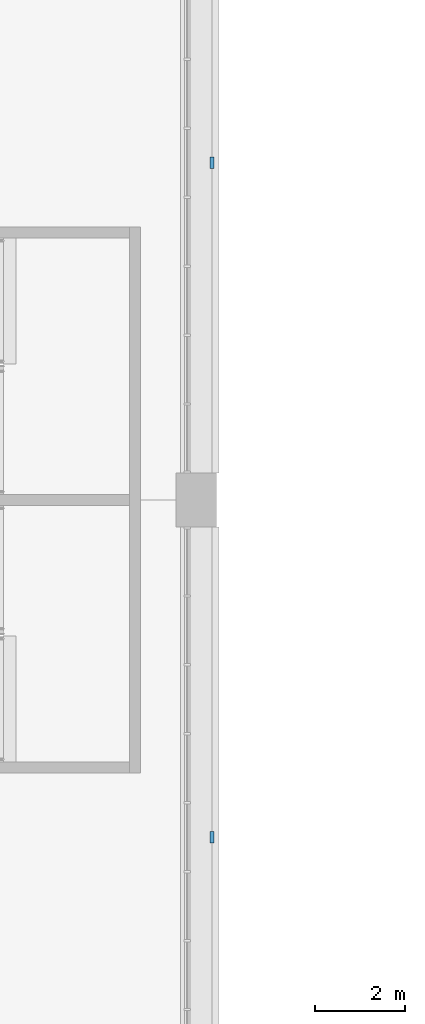
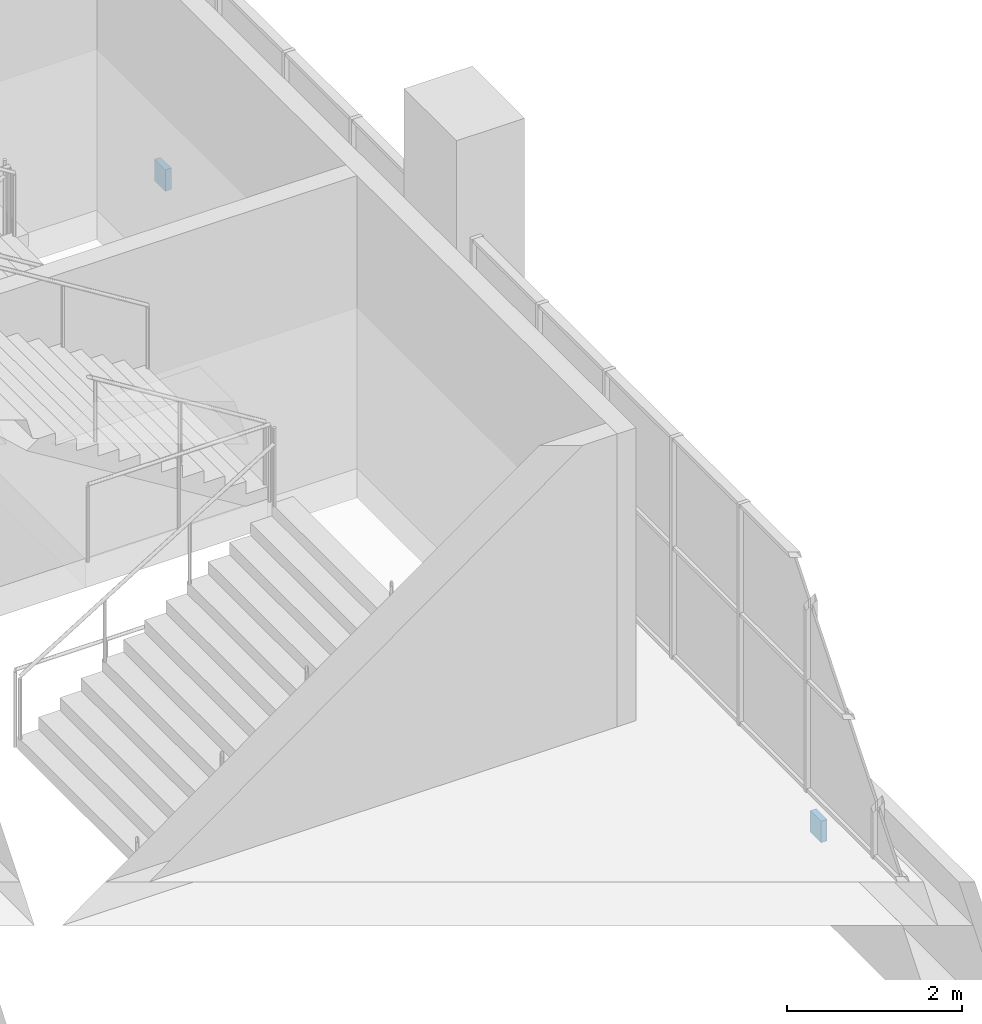
# One storey, part 103 of 199: 2 discrete accessories.
"""IFC4 building model written with IfcOpenShell, lengths in metres."""

from ifc_helpers import new_model, si_unit, direction, frame, origin, origin_2d, place, context, subcontext, project, spatial, rectangle, extrude, material, layer, layer_set, type_object, element, save


model = new_model("IFC4")

# Units and contexts
model_context = context("Model", 3, precision=1e-05, world=origin(), true_north=direction((0.0, 1.0)))
body_context = subcontext(model_context, "Body", "Model", "MODEL_VIEW")
ifc_project = project(units=[si_unit("LENGTHUNIT", "METRE"), si_unit("AREAUNIT", "SQUARE_METRE"), si_unit("VOLUMEUNIT", "CUBIC_METRE"), si_unit("PLANEANGLEUNIT", "RADIAN"), si_unit("MASSUNIT", "GRAM", prefix="KILO")], contexts=[model_context])

# Site, building, storey
site_placement = place(None, origin())
site = spatial("IfcSite", under=ifc_project, at=site_placement, CompositionType="ELEMENT")
building_placement = place(site_placement, origin())
building = spatial("IfcBuilding", under=site, at=building_placement, Name="Ogive Plaza Stadium", CompositionType="ELEMENT")
storey_placement = place(building_placement, frame((0.0, 0.0, 4.5)))
storey = spatial("IfcBuildingStorey", under=building, at=storey_placement, Name="L01", CompositionType="ELEMENT", Elevation=4.5)

# Discrete accessories
ifc_material = material(Name="Steel ASTM A572 Grade 50", Category="steel")
ifc_layer = layer(ifc_material, 0.080078125)
ifc_layer_set = layer_set([ifc_layer], Name="Steel ASTM A572 Grade 50")
discrete_accessory_type = type_object("IfcDiscreteAccessoryType", Name="Spandrel cladding bracket 250x300", PredefinedType="BRACKET", material=ifc_layer_set)
for number, where, z_axis, x_axis, name in (
    (1, (84.35009765625, 45.0, -1.31005859375), (0.0, 0.0, 1.0), (0.0, -1.0, 0.0), "SPANDREL BRACKET B01 L01"),
    (2, (84.35009765625, 30.0, -1.31005859375), (0.0, 0.0, 1.0), (0.0, -1.0, 0.0), "SPANDREL BRACKET B02 L01"),
):
    element("IfcDiscreteAccessory", number, at=place(storey_placement, frame(where, z_axis=z_axis, x_axis=x_axis)), inside=storey, type_object=discrete_accessory_type, Name=name, PredefinedType="BRACKET", context=body_context, shape_type="SweptSolid", body=[
        extrude(rectangle(XDim=0.25, YDim=0.080078125, at=origin_2d()), origin(), (0.0, 0.0, 1.0), 0.300048828125),
    ])

save(model, "model.ifc")
